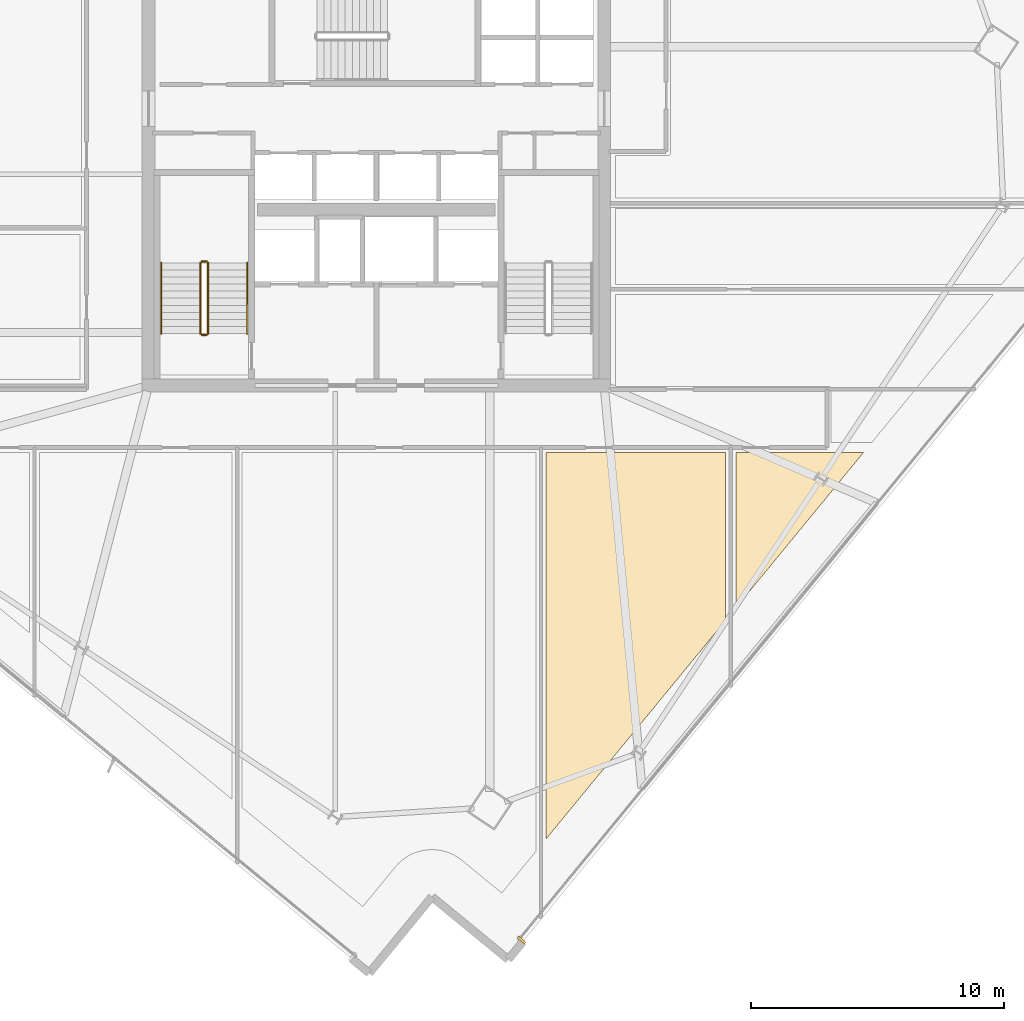
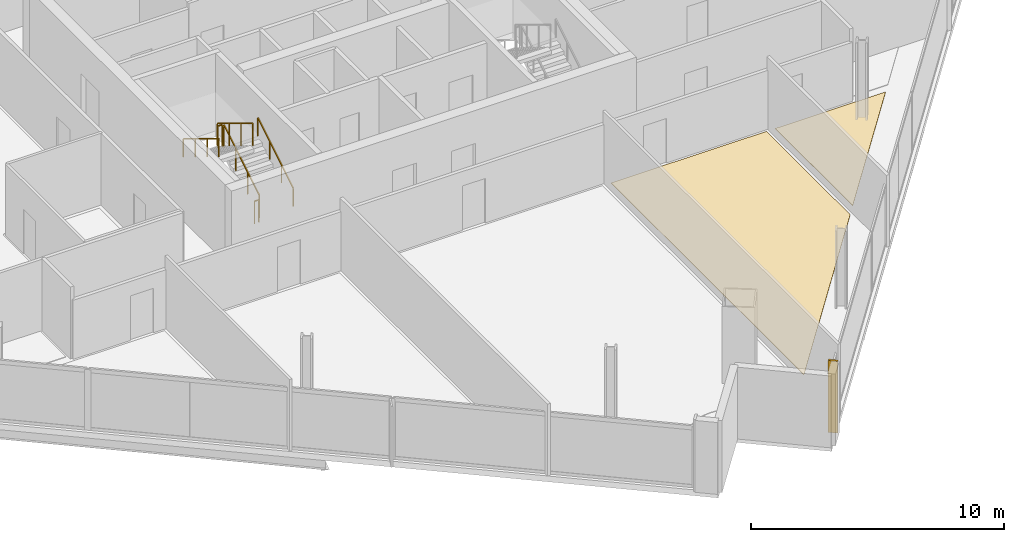
# One storey, part 25 of 28: 6 railings, 3 coverings.
"""IFC4 building model written with IfcOpenShell, lengths in metres."""

from ifc_helpers import new_model, si_unit, direction, frame, origin, origin_2d, place, context, subcontext, project, spatial, polyline, rectangle, outline, extrude, source, transform, mapped, material, layer, layer_set, type_object, element, save


model = new_model("IFC4")

# Units and contexts
model_context = context("Model", 3, precision=1e-05, world=origin(), true_north=direction((0.0, 1.0)))
body_context = subcontext(model_context, "Body", "Model", "MODEL_VIEW")
ifc_project = project(units=[si_unit("LENGTHUNIT", "METRE"), si_unit("AREAUNIT", "SQUARE_METRE"), si_unit("VOLUMEUNIT", "CUBIC_METRE"), si_unit("PLANEANGLEUNIT", "RADIAN"), si_unit("MASSUNIT", "GRAM", prefix="KILO")], contexts=[model_context])

# Site, building, storey
site_placement = place(None, origin())
site = spatial("IfcSite", under=ifc_project, at=site_placement, CompositionType="ELEMENT")
building_placement = place(site_placement, origin())
building = spatial("IfcBuilding", under=site, at=building_placement, Name="Haldenkirk Collegiate Tower", CompositionType="ELEMENT")
storey_placement = place(building_placement, frame((0.0, 0.0, 198.449951171875)))
storey = spatial("IfcBuildingStorey", under=building, at=storey_placement, Name="L49", CompositionType="ELEMENT", Elevation=198.449951171875)

# Coverings
ifc_material_1 = material(Name="Polished collegiate terrazzo", Category="concrete")
ifc_layer_1 = layer(ifc_material_1, 0.02490234375)
ifc_layer_set_1 = layer_set([ifc_layer_1], Name="Polished collegiate terrazzo")
covering_type_1 = type_object("IfcCoveringType", Name="COV-FLOOR-TERRAZZO", PredefinedType="FLOORING", material=ifc_layer_set_1)
covering_1_placement = place(storey_placement, origin())
element("IfcCovering", 1, at=covering_1_placement, inside=storey, type_object=covering_type_1, Name="L49 academic room finish 06", PredefinedType="FLOORING", context=body_context, shape_type="SweptSolid", body=[
    extrude(outline(polyline([(50.199951171875, 9.2099609375), (50.199951171875, 15.35009765625), (55.243408203125, 15.35009765625), (50.199951171875, 9.2099609375)])), origin(), (0.0, 0.0, 1.0), 0.025146484375),
])
ifc_material_2 = material(Name="Engineered collegiate oak acoustic flooring", Category="wood")
ifc_layer_2 = layer(ifc_material_2, 0.02197265625)
ifc_layer_set_2 = layer_set([ifc_layer_2], Name="Engineered collegiate oak acoustic flooring")
covering_type_2 = type_object("IfcCoveringType", Name="COV-FLOOR-TIMBER", PredefinedType="FLOORING", material=ifc_layer_set_2)
covering_2_placement = place(storey_placement, origin())
element("IfcCovering", 2, at=covering_2_placement, inside=storey, type_object=covering_type_2, Name="L49 academic room finish 05", PredefinedType="FLOORING", context=body_context, shape_type="SweptSolid", body=[
    extrude(outline(polyline([(42.699951171875, 0.079345703125), (42.699951171875, 15.35009765625), (49.800048828125, 15.35009765625), (49.800048828125, 8.722900390625), (42.699951171875, 0.079345703125)])), origin(), (0.0, 0.0, 1.0), 0.02197265625),
])

# Railings
ifc_material_3 = material(Name="Painted architectural tubular steel", Category="steel")
railing_type_1 = type_object("IfcRailingType", Name="RLG-STAIR-GUARD-1100", PredefinedType="BALUSTRADE", material=ifc_material_3)
railing_1_placement = place(storey_placement, frame((29.35009765625, 20.050048828125, 0.17041015625)))
element("IfcRailing", 3, at=railing_1_placement, inside=storey, type_object=railing_type_1, Name="L49 ST-1 stair guard 1", PredefinedType="BALUSTRADE", context=body_context, shape_type="SweptSolid", body=[
    extrude(rectangle(XDim=0.048095703125, YDim=0.048095703125, at=origin_2d()), frame((0.0, 0.0, 1.076171875), z_axis=(0.0, 0.854169791009, 0.51999420009), x_axis=(-1.0, 0.0, 0.0)), (0.0, 0.0, 1.0), 3.278076171875),
    extrude(rectangle(XDim=0.0419921875, YDim=0.0419921875, at=origin_2d()), origin(), (0.0, 0.0, 1.0), 1.052001953125),
    extrude(rectangle(XDim=0.0419921875, YDim=0.0419921875, at=origin_2d()), frame((0.0, 0.933349609375, 0.568115234375)), (0.0, 0.0, 1.0), 1.052001953125),
    extrude(rectangle(XDim=0.0419921875, YDim=0.0419921875, at=origin_2d()), frame((0.0, 1.86669921875, 1.136474609375)), (0.0, 0.0, 1.0), 1.052001953125),
    extrude(rectangle(XDim=0.0419921875, YDim=0.0419921875, at=origin_2d()), frame((0.0, 2.800048828125, 1.70458984375)), (0.0, 0.0, 1.0), 1.052001953125),
])
railing_2_placement = place(storey_placement, frame((29.300048828125, 22.89990234375, 1.875)))
element("IfcRailing", 4, at=railing_2_placement, inside=storey, type_object=railing_type_1, Name="L49 ST-1 stair guard 2", PredefinedType="BALUSTRADE", context=body_context, shape_type="SweptSolid", body=[
    extrude(rectangle(XDim=0.048095703125, YDim=0.048095703125, at=origin_2d()), frame((0.0, 0.0, 1.076171875), z_axis=(-1.0, 0.0, 0.0), x_axis=(0.0, -1.0, 0.0)), (0.0, 0.0, 1.0), 0.199951171875),
    extrude(rectangle(XDim=0.0419921875, YDim=0.0419921875, at=origin_2d()), origin(), (0.0, 0.0, 1.0), 1.052001953125),
    extrude(rectangle(XDim=0.0419921875, YDim=0.0419921875, at=origin_2d()), frame((-0.199951171875, 0.0, 0.0)), (0.0, 0.0, 1.0), 1.052001953125),
])
railing_3_placement = place(storey_placement, frame((29.050048828125, 22.85009765625, 2.04541015625)))
element("IfcRailing", 5, at=railing_3_placement, inside=storey, type_object=railing_type_1, Name="L49 ST-1 stair guard 3", PredefinedType="BALUSTRADE", context=body_context, shape_type="SweptSolid", body=[
    extrude(rectangle(XDim=0.048095703125, YDim=0.048095703125, at=origin_2d()), frame((0.0, 0.0, 1.076171875), z_axis=(0.0, -0.854169791009, 0.51999420009), x_axis=(1.0, 0.0, 0.0)), (0.0, 0.0, 1.0), 3.278076171875),
    extrude(rectangle(XDim=0.0419921875, YDim=0.0419921875, at=origin_2d()), origin(), (0.0, 0.0, 1.0), 1.052001953125),
    extrude(rectangle(XDim=0.0419921875, YDim=0.0419921875, at=origin_2d()), frame((0.0, -0.933349609375, 0.568115234375)), (0.0, 0.0, 1.0), 1.052001953125),
    extrude(rectangle(XDim=0.0419921875, YDim=0.0419921875, at=origin_2d()), frame((0.0, -1.86669921875, 1.136474609375)), (0.0, 0.0, 1.0), 1.052001953125),
    extrude(rectangle(XDim=0.0419921875, YDim=0.0419921875, at=origin_2d()), frame((0.0, -2.800048828125, 1.70458984375)), (0.0, 0.0, 1.0), 1.052001953125),
])
railing_4_placement = place(storey_placement, frame((29.300048828125, 20.0, 0.0)))
element("IfcRailing", 6, at=railing_4_placement, inside=storey, type_object=railing_type_1, Name="L49 ST-1 stair guard 4", PredefinedType="BALUSTRADE", context=body_context, shape_type="SweptSolid", body=[
    extrude(rectangle(XDim=0.048095703125, YDim=0.048095703125, at=origin_2d()), frame((0.0, 0.0, 1.076171875), z_axis=(-1.0, 0.0, 0.0), x_axis=(0.0, -1.0, 0.0)), (0.0, 0.0, 1.0), 0.199951171875),
    extrude(rectangle(XDim=0.0419921875, YDim=0.0419921875, at=origin_2d()), origin(), (0.0, 0.0, 1.0), 1.052001953125),
    extrude(rectangle(XDim=0.0419921875, YDim=0.0419921875, at=origin_2d()), frame((-0.199951171875, 0.0, 0.0)), (0.0, 0.0, 1.0), 1.052001953125),
])
railing_type_2 = type_object("IfcRailingType", Name="RLG-STAIR-HANDRAIL-900", PredefinedType="HANDRAIL", material=ifc_material_3)
railing_5_placement = place(storey_placement, frame((30.89990234375, 20.050048828125, 0.17041015625)))
element("IfcRailing", 7, at=railing_5_placement, inside=storey, type_object=railing_type_2, Name="L49 ST-1 stair handrail 1", PredefinedType="HANDRAIL", context=body_context, shape_type="SweptSolid", body=[
    extrude(rectangle(XDim=0.048095703125, YDim=0.048095703125, at=origin_2d()), frame((0.0, 0.0, 0.8759765625), z_axis=(0.0, 0.854169791009, 0.51999420009), x_axis=(-1.0, 0.0, 0.0)), (0.0, 0.0, 1.0), 3.278076171875),
    extrude(rectangle(XDim=0.0419921875, YDim=0.0419921875, at=origin_2d()), origin(), (0.0, 0.0, 1.0), 0.851806640625),
    extrude(rectangle(XDim=0.0419921875, YDim=0.0419921875, at=origin_2d()), frame((0.0, 0.933349609375, 0.568115234375)), (0.0, 0.0, 1.0), 0.851806640625),
    extrude(rectangle(XDim=0.0419921875, YDim=0.0419921875, at=origin_2d()), frame((0.0, 1.86669921875, 1.136474609375)), (0.0, 0.0, 1.0), 0.851806640625),
    extrude(rectangle(XDim=0.0419921875, YDim=0.0419921875, at=origin_2d()), frame((0.0, 2.800048828125, 1.70458984375)), (0.0, 0.0, 1.0), 0.851806640625),
])
railing_6_placement = place(storey_placement, frame((27.5, 22.85009765625, 2.04541015625)))
element("IfcRailing", 8, at=railing_6_placement, inside=storey, type_object=railing_type_2, Name="L49 ST-1 stair handrail 2", PredefinedType="HANDRAIL", context=body_context, shape_type="SweptSolid", body=[
    extrude(rectangle(XDim=0.048095703125, YDim=0.048095703125, at=origin_2d()), frame((0.0, 0.0, 0.8759765625), z_axis=(0.0, -0.854169791009, 0.51999420009), x_axis=(1.0, 0.0, 0.0)), (0.0, 0.0, 1.0), 3.278076171875),
    extrude(rectangle(XDim=0.0419921875, YDim=0.0419921875, at=origin_2d()), origin(), (0.0, 0.0, 1.0), 0.851806640625),
    extrude(rectangle(XDim=0.0419921875, YDim=0.0419921875, at=origin_2d()), frame((0.0, -0.933349609375, 0.568115234375)), (0.0, 0.0, 1.0), 0.851806640625),
    extrude(rectangle(XDim=0.0419921875, YDim=0.0419921875, at=origin_2d()), frame((0.0, -1.86669921875, 1.136474609375)), (0.0, 0.0, 1.0), 0.851806640625),
    extrude(rectangle(XDim=0.0419921875, YDim=0.0419921875, at=origin_2d()), frame((0.0, -2.800048828125, 1.70458984375)), (0.0, 0.0, 1.0), 0.851806640625),
])

# Covering
ifc_material_4 = material(Name="Anodised architectural bronze aluminium", Category="aluminium")
ifc_layer_3 = layer(ifc_material_4, 0.06005859375)
ifc_layer_set_3 = layer_set([ifc_layer_3], Name="Anodised architectural bronze aluminium")
covering_type_3 = type_object("IfcCoveringType", Name="COV-CLAD-BRONZE-60", PredefinedType="CLADDING", material=ifc_layer_set_3)
shared_shape = source(origin(), body_context, "Body", "SweptSolid", [
    extrude(rectangle(XDim=0.10009765625, YDim=0.3798828125, at=origin_2d()), origin(), (0.0, 0.0, 1.0), 3.469970703125),
])
covering_3_placement = place(storey_placement, frame((41.7314453125, -3.904052734375, 0.0), z_axis=(0.0, 0.0, 1.0), x_axis=(-0.634730513202, -0.772733573497, 0.0)))
element("IfcCovering", 9, at=covering_3_placement, inside=storey, type_object=covering_type_3, Name="L49 recessed curtain-wall bronze jamb closure SJR", PredefinedType="CLADDING", context=body_context, shape_type="MappedRepresentation", body=[
    mapped(shared_shape, transform((0.0, 0.0, 0.0), x_axis=(1.0, 0.0, 0.0), y_axis=(0.0, 1.0, 0.0), z_axis=(0.0, 0.0, 1.0), scale=1.0)),
])

save(model, "model.ifc")
